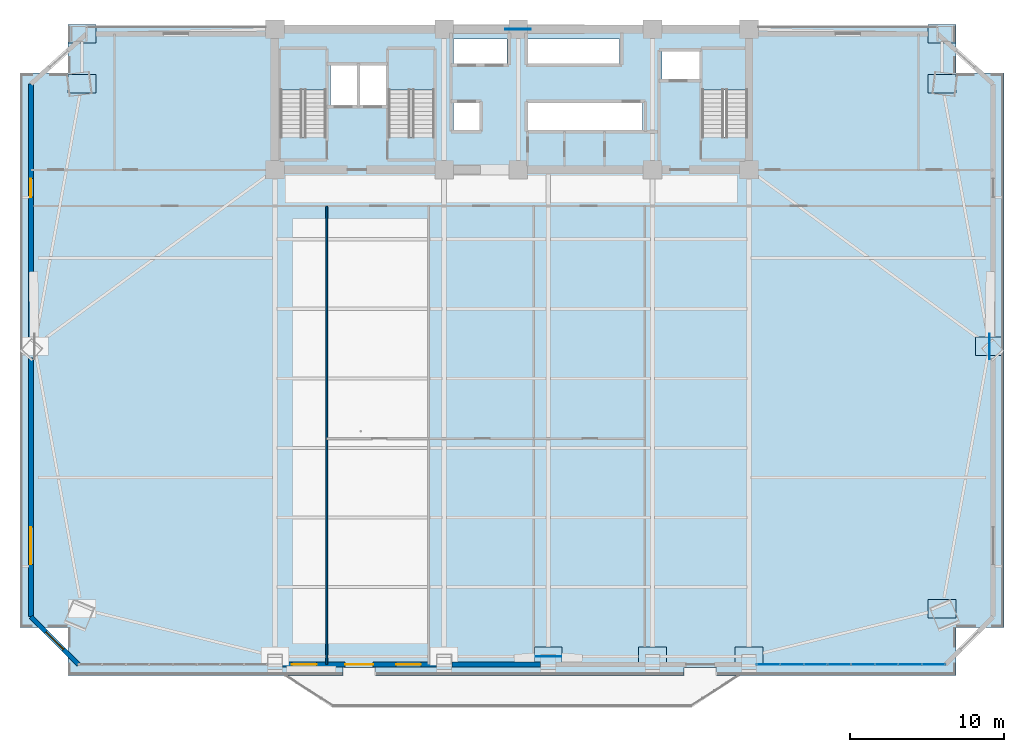
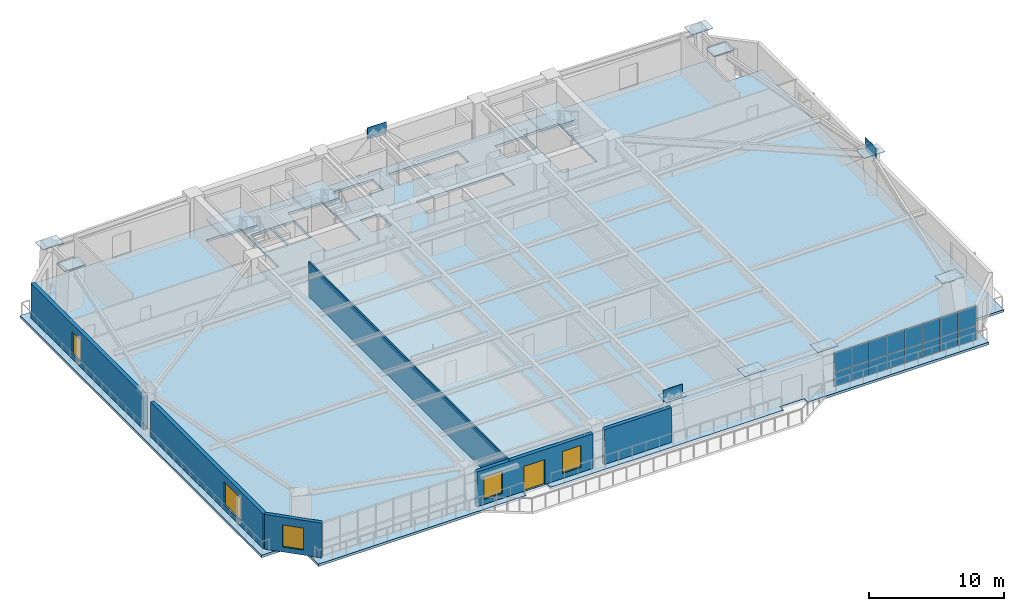
# One storey, part 7 of 16: 28 plates, 6 walls, 5 windows, 4 slabs, 1 door, 6 openings, 4 elements without a shape of their own.
"""IFC4 building model written with IfcOpenShell, lengths in metres."""

from ifc_helpers import new_model, si_unit, direction, frame, frame_2d, origin, origin_2d, place, context, subcontext, project, spatial, polyline, rectangle, outline, extrude, source, transform, mapped, material, layer, layer_set, type_object, element, fill, aggregate, save


model = new_model("IFC4")

# Units and contexts
model_context = context("Model", 3, precision=1e-05, world=origin(), true_north=direction((0.0, 1.0)))
body_context = subcontext(model_context, "Body", "Model", "MODEL_VIEW")
ifc_project = project(units=[si_unit("LENGTHUNIT", "METRE"), si_unit("AREAUNIT", "SQUARE_METRE"), si_unit("VOLUMEUNIT", "CUBIC_METRE"), si_unit("PLANEANGLEUNIT", "RADIAN"), si_unit("MASSUNIT", "GRAM", prefix="KILO")], contexts=[model_context])

# Site, building, storey
site_placement = place(None, origin())
site = spatial("IfcSite", under=ifc_project, at=site_placement, CompositionType="ELEMENT")
building_placement = place(site_placement, origin())
building = spatial("IfcBuilding", under=site, at=building_placement, Name="Giltprow Tower", CompositionType="ELEMENT")
storey_placement = place(building_placement, frame((0.0, 0.0, 83.5)))
storey = spatial("IfcBuildingStorey", under=building, at=storey_placement, Name="L20", CompositionType="ELEMENT", Elevation=83.5)

# Slab
ifc_material_1 = material(Name="Concrete C40", Category="concrete")
ifc_layer_1 = layer(ifc_material_1, 0.219970703125, Name="Concrete C40")
ifc_layer_set_1 = layer_set([ifc_layer_1], Name="Concrete C40")
slab_type_1 = type_object("IfcSlabType", Name="SLB-OFF-220", PredefinedType="FLOOR", material=ifc_layer_set_1)
slab_1_placement = place(storey_placement, frame((0.0, 0.0, -0.219970703125)))
element("IfcSlab", 1, at=slab_1_placement, inside=storey, type_object=slab_type_1, Name="L20 Structural Composite Floor Slab", PredefinedType="FLOOR", context=body_context, shape_type="SweptSolid", body=[
    extrude(outline(polyline([(6.43603515625, 4.708984375), (6.43603515625, 7.804931640625), (3.340087890625, 7.804931640625), (3.340087890625, 43.7041015625), (6.43603515625, 43.7041015625), (6.43603515625, 46.800048828125), (63.965087890625, 46.800048828125), (63.965087890625, 43.7041015625), (67.06103515625, 43.7041015625), (67.06103515625, 7.804931640625), (63.965087890625, 7.804931640625), (63.965087890625, 4.708984375), (48.449951171875, 4.708984375), (48.449951171875, 5.22900390625), (46.35009765625, 5.22900390625), (46.35009765625, 4.708984375), (26.35009765625, 4.708984375), (26.35009765625, 5.22900390625), (24.25, 5.22900390625), (24.25, 4.708984375), (6.43603515625, 4.708984375)]), holes=[polyline([(33.10009765625, 41.800048828125), (31.419921875, 41.800048828125), (31.419921875, 40.0), (33.10009765625, 40.0), (33.10009765625, 41.800048828125)]), polyline([(23.159912109375, 39.570068359375), (23.159912109375, 45.25), (20.199951171875, 45.25), (20.199951171875, 39.570068359375), (23.159912109375, 39.570068359375)]), polyline([(30.159912109375, 45.25), (27.199951171875, 45.25), (27.199951171875, 39.570068359375), (30.159912109375, 39.570068359375), (30.159912109375, 45.25)]), polyline([(25.169921875, 41.60009765625), (25.169921875, 44.199951171875), (23.449951171875, 44.199951171875), (23.449951171875, 41.60009765625), (25.169921875, 41.60009765625)]), polyline([(27.10009765625, 41.60009765625), (27.10009765625, 44.199951171875), (25.35009765625, 44.199951171875), (25.35009765625, 41.60009765625), (27.10009765625, 41.60009765625)]), polyline([(43.659912109375, 40.0), (43.659912109375, 41.800048828125), (36.239990234375, 41.800048828125), (36.239990234375, 40.0), (43.659912109375, 40.0)]), polyline([(50.4599609375, 39.570068359375), (50.4599609375, 45.25), (47.5, 45.25), (47.5, 39.570068359375), (50.4599609375, 39.570068359375)]), polyline([(47.3798828125, 45.10009765625), (44.919921875, 45.10009765625), (44.919921875, 43.300048828125), (47.3798828125, 43.300048828125), (47.3798828125, 45.10009765625)]), polyline([(34.8798828125, 44.300048828125), (34.8798828125, 45.919921875), (31.419921875, 45.919921875), (31.419921875, 44.300048828125), (34.8798828125, 44.300048828125)]), polyline([(42.169921875, 44.300048828125), (42.169921875, 45.919921875), (36.239990234375, 45.919921875), (36.239990234375, 44.300048828125), (42.169921875, 44.300048828125)])]), origin(), (0.0, 0.0, 1.0), 0.219970703125),
])

# Stair, slab
stair_type_1 = type_object("IfcStairType", Name="STR-ST-1", PredefinedType="HALF_TURN_STAIR", material=ifc_material_1)
stair_1_placement = place(storey_placement, origin())
stair_1 = element("IfcStair", 2, at=stair_1_placement, inside=storey, type_object=stair_type_1, Name="L20 Core Exit Stair ST-1", PredefinedType="HALF_TURN_STAIR")
ifc_layer_2 = layer(ifc_material_1, 0.179931640625, Name="Concrete C40")
ifc_layer_set_2 = layer_set([ifc_layer_2], Name="Concrete C40")
slab_type_2 = type_object("IfcSlabType", Name="SLD-ST-1", PredefinedType="LANDING", material=ifc_layer_set_2)
slab_2_placement = place(storey_placement, frame((0.0, 0.0, 1.77001953125)))
slab_2 = element("IfcSlab", 3, at=slab_2_placement, type_object=slab_type_2, Name="ST-1 landing 1", PredefinedType="LANDING", context=body_context, shape_type="SweptSolid", body=[
    extrude(outline(polyline([(23.159912109375, 42.6298828125), (23.159912109375, 45.25), (20.199951171875, 45.25), (20.199951171875, 42.6298828125), (23.159912109375, 42.6298828125)])), origin(), (0.0, 0.0, 1.0), 0.179931640625),
])
aggregate(stair_1, [slab_2])

stair_type_2 = type_object("IfcStairType", Name="STR-ST-2", PredefinedType="HALF_TURN_STAIR", material=ifc_material_1)
stair_2_placement = place(storey_placement, origin())
stair_2 = element("IfcStair", 4, at=stair_2_placement, inside=storey, type_object=stair_type_2, Name="L20 Core Exit Stair ST-2", PredefinedType="HALF_TURN_STAIR")
ifc_layer_3 = layer(ifc_material_1, 0.18798828125, Name="Concrete C40")
ifc_layer_set_3 = layer_set([ifc_layer_3], Name="Concrete C40")
slab_type_3 = type_object("IfcSlabType", Name="SLD-ST-2", PredefinedType="LANDING", material=ifc_layer_set_3)
slab_3_placement = place(storey_placement, frame((0.0, 0.0, 1.761962890625)))
slab_3 = element("IfcSlab", 5, at=slab_3_placement, type_object=slab_type_3, Name="ST-2 landing 1", PredefinedType="LANDING", context=body_context, shape_type="SweptSolid", body=[
    extrude(outline(polyline([(30.159912109375, 42.6298828125), (30.159912109375, 45.25), (27.199951171875, 45.25), (27.199951171875, 42.6298828125), (30.159912109375, 42.6298828125)])), origin(), (0.0, 0.0, 1.0), 0.18798828125),
])
aggregate(stair_2, [slab_3])

stair_type_3 = type_object("IfcStairType", Name="STR-ST-3", PredefinedType="HALF_TURN_STAIR", material=ifc_material_1)
stair_3_placement = place(storey_placement, origin())
stair_3 = element("IfcStair", 6, at=stair_3_placement, inside=storey, type_object=stair_type_3, Name="L20 Core Exit Stair ST-3", PredefinedType="HALF_TURN_STAIR")
ifc_layer_4 = layer(ifc_material_1, 0.196044921875, Name="Concrete C40")
ifc_layer_set_4 = layer_set([ifc_layer_4], Name="Concrete C40")
slab_type_4 = type_object("IfcSlabType", Name="SLD-ST-3", PredefinedType="LANDING", material=ifc_layer_set_4)
slab_4_placement = place(storey_placement, frame((0.0, 0.0, 1.75390625)))
slab_4 = element("IfcSlab", 7, at=slab_4_placement, type_object=slab_type_4, Name="ST-3 landing 1", PredefinedType="LANDING", context=body_context, shape_type="SweptSolid", body=[
    extrude(outline(polyline([(50.4599609375, 42.6298828125), (50.4599609375, 45.25), (47.5, 45.25), (47.5, 42.6298828125), (50.4599609375, 42.6298828125)])), origin(), (0.0, 0.0, 1.0), 0.196044921875),
])
aggregate(stair_3, [slab_4])

# Plates
ifc_material_2 = material(Name="Structural steel Q420GJC", Category="steel")
plate_type_1 = type_object("IfcPlateType", Name="PLT-NODE-CKN1", PredefinedType="USERDEFINED", material=ifc_material_2)
shared_shape_1 = source(origin(), body_context, "Body", "SweptSolid", [
    extrude(rectangle(XDim=1.800048828125, YDim=1.199951171875, at=origin_2d()), origin(), (0.0, 0.0, 1.0), 0.044921875),
])
for number, where, z_axis, x_axis, name in (
    (8, (63.055908203125, 9.006103515625, 3.637451171875), (0.0, 0.0, 1.0), (1.0, 0.0, 0.0), "CKN1 Column Taper Splice Node L20-MC_SE"),
    (9, (7.344970703125, 43.030029296875, 3.637451171875), (0.0, 0.0, 1.0), (1.0, 0.0, 0.0), "CKN1 Column Taper Splice Node L20-MC_NW"),
    (10, (63.055908203125, 43.030029296875, 3.637451171875), (0.0, 0.0, 1.0), (1.0, 0.0, 0.0), "CKN1 Column Taper Splice Node L20-MC_NE"),
    (11, (37.550048828125, 5.93603515625, 3.637451171875), (0.0, 0.0, 1.0), (1.0, 0.0, 0.0), "CKN1 Column Taper Splice Node L20-S_MID"),
    (12, (44.300048828125, 5.93603515625, 3.637451171875), (0.0, 0.0, 1.0), (1.0, 0.0, 0.0), "CKN1 Column Taper Splice Node L20-S3"),
    (13, (50.550048828125, 5.93603515625, 3.637451171875), (0.0, 0.0, 1.0), (1.0, 0.0, 0.0), "CKN1 Column Taper Splice Node L20-S4"),
    (14, (66.1259765625, 26.01806640625, 3.637451171875), (0.0, 0.0, 1.0), (1.0, 0.0, 0.0), "CKN1 Column Taper Splice Node L20-E_MID"),
    (15, (7.344970703125, 46.25, 3.637451171875), (0.0, 0.0, 1.0), (1.0, 0.0, 0.0), "CKN1 Column Taper Splice Node L20-N_W"),
    (16, (63.055908203125, 46.25, 3.637451171875), (0.0, 0.0, 1.0), (1.0, 0.0, 0.0), "CKN1 Column Taper Splice Node L20-N_E"),
):
    element("IfcPlate", number, at=place(storey_placement, frame(where, z_axis=z_axis, x_axis=x_axis)), inside=storey, type_object=plate_type_1, Name=name, ObjectType="SPLICE", PredefinedType="USERDEFINED", context=body_context, shape_type="MappedRepresentation", body=[
        mapped(shared_shape_1, transform((0.0, 0.0, 0.0), x_axis=(1.0, 0.0, 0.0), y_axis=(0.0, 1.0, 0.0), z_axis=(0.0, 0.0, 1.0), scale=1.0)),
    ])
plate_type_2 = type_object("IfcPlateType", Name="PLT-NODE-MBN2", PredefinedType="USERDEFINED", material=ifc_material_2)
shared_shape_2 = source(origin(), body_context, "Body", "SweptSolid", [
    extrude(rectangle(XDim=1.64990234375, YDim=0.044921875, at=origin_2d()), origin(), (0.0, 0.0, 1.0), 1.050048828125),
])
for number, where, z_axis, x_axis, name in (
    (17, (37.550048828125, 5.93603515625, 3.375), (0.0, 0.0, 1.0), (1.0, 0.0, 0.0), "Mega-Brace Node L20-S-LB"),
    (18, (35.60009765625, 46.550048828125, 3.23486328125), (0.0, 0.0, 1.0), (1.0, 0.0, 0.0), "Mega-Brace Node L20-N-LB"),
    (19, (66.1259765625, 26.01806640625, 3.375), (0.0, 0.0, 1.0), (0.0, 1.0, 0.0), "Mega-Brace Node L20-E-RB"),
):
    element("IfcPlate", number, at=place(storey_placement, frame(where, z_axis=z_axis, x_axis=x_axis)), inside=storey, type_object=plate_type_2, Name=name, ObjectType="GUSSET", PredefinedType="USERDEFINED", context=body_context, shape_type="MappedRepresentation", body=[
        mapped(shared_shape_2, transform((0.0, 0.0, 0.0), x_axis=(1.0, 0.0, 0.0), y_axis=(0.0, 1.0, 0.0), z_axis=(0.0, 0.0, 1.0), scale=1.0)),
    ])

# Curtain wall, plates
ifc_material_3 = material(Name="Anodized bronze", Category="metal")
ifc_layer_5 = layer(ifc_material_3, 0.179931640625, Name="Anodized bronze")
ifc_layer_set_5 = layer_set([ifc_layer_5], Name="Anodized bronze")
curtain_wall_type = type_object("IfcCurtainWallType", Name="CW-OFF-RECESSED", PredefinedType="NOTDEFINED", material=ifc_layer_set_5)
curtain_wall_placement = place(storey_placement, origin())
curtain_wall = element("IfcCurtainWall", 20, at=curtain_wall_placement, inside=storey, type_object=curtain_wall_type, Name="L20 South Recessed Curtain Wall 6", PredefinedType="NOTDEFINED")
ifc_material_4 = material(Name="Insulated glass", Category="glass")
plate_type_3 = type_object("IfcPlateType", Name="CW-PANEL-IGU-28", PredefinedType="CURTAIN_PANEL", material=ifc_material_4)
shared_shape_3 = source(origin(), body_context, "Body", "SweptSolid", [
    extrude(rectangle(XDim=1.4970703125, YDim=0.028076171875, at=origin_2d()), origin(), (0.0, 0.0, 1.0), 1.259033203125),
])
plate_1_placement = place(storey_placement, frame((51.81298828125, 5.408935546875, 0.0546875), z_axis=(0.0, 0.0, 1.0), x_axis=(1.0, 0.0, 0.0)))
plate_1 = element("IfcPlate", 21, at=plate_1_placement, type_object=plate_type_3, Name="L20 South Recessed Curtain Wall 6 Glazing Panel 1-1", PredefinedType="CURTAIN_PANEL", context=body_context, shape_type="MappedRepresentation", body=[
    mapped(shared_shape_3, transform((0.0, 0.0, 0.0), x_axis=(1.0, 0.0, 0.0), y_axis=(0.0, 1.0, 0.0), z_axis=(0.0, 0.0, 1.0), scale=1.0)),
])
plate_2_placement = place(storey_placement, frame((53.340087890625, 5.408935546875, 0.0546875), z_axis=(0.0, 0.0, 1.0), x_axis=(1.0, 0.0, 0.0)))
plate_2 = element("IfcPlate", 22, at=plate_2_placement, type_object=plate_type_3, Name="L20 South Recessed Curtain Wall 6 Glazing Panel 2-1", PredefinedType="CURTAIN_PANEL", context=body_context, shape_type="MappedRepresentation", body=[
    mapped(shared_shape_3, transform((0.0, 0.0, 0.0), x_axis=(1.0, 0.0, 0.0), y_axis=(0.0, 1.0, 0.0), z_axis=(0.0, 0.0, 1.0), scale=1.0)),
])
plate_3_placement = place(storey_placement, frame((54.866943359375, 5.408935546875, 0.0546875), z_axis=(0.0, 0.0, 1.0), x_axis=(1.0, 0.0, 0.0)))
plate_3 = element("IfcPlate", 23, at=plate_3_placement, type_object=plate_type_3, Name="L20 South Recessed Curtain Wall 6 Glazing Panel 3-1", PredefinedType="CURTAIN_PANEL", context=body_context, shape_type="MappedRepresentation", body=[
    mapped(shared_shape_3, transform((0.0, 0.0, 0.0), x_axis=(1.0, 0.0, 0.0), y_axis=(0.0, 1.0, 0.0), z_axis=(0.0, 0.0, 1.0), scale=1.0)),
])
plate_4_placement = place(storey_placement, frame((56.39404296875, 5.408935546875, 0.0546875), z_axis=(0.0, 0.0, 1.0), x_axis=(1.0, 0.0, 0.0)))
plate_4 = element("IfcPlate", 24, at=plate_4_placement, type_object=plate_type_3, Name="L20 South Recessed Curtain Wall 6 Glazing Panel 4-1", PredefinedType="CURTAIN_PANEL", context=body_context, shape_type="MappedRepresentation", body=[
    mapped(shared_shape_3, transform((0.0, 0.0, 0.0), x_axis=(1.0, 0.0, 0.0), y_axis=(0.0, 1.0, 0.0), z_axis=(0.0, 0.0, 1.0), scale=1.0)),
])
plate_5_placement = place(storey_placement, frame((57.9208984375, 5.408935546875, 0.0546875), z_axis=(0.0, 0.0, 1.0), x_axis=(1.0, 0.0, 0.0)))
plate_5 = element("IfcPlate", 25, at=plate_5_placement, type_object=plate_type_3, Name="L20 South Recessed Curtain Wall 6 Glazing Panel 5-1", PredefinedType="CURTAIN_PANEL", context=body_context, shape_type="MappedRepresentation", body=[
    mapped(shared_shape_3, transform((0.0, 0.0, 0.0), x_axis=(1.0, 0.0, 0.0), y_axis=(0.0, 1.0, 0.0), z_axis=(0.0, 0.0, 1.0), scale=1.0)),
])
plate_6_placement = place(storey_placement, frame((59.447998046875, 5.408935546875, 0.0546875), z_axis=(0.0, 0.0, 1.0), x_axis=(1.0, 0.0, 0.0)))
plate_6 = element("IfcPlate", 26, at=plate_6_placement, type_object=plate_type_3, Name="L20 South Recessed Curtain Wall 6 Glazing Panel 6-1", PredefinedType="CURTAIN_PANEL", context=body_context, shape_type="MappedRepresentation", body=[
    mapped(shared_shape_3, transform((0.0, 0.0, 0.0), x_axis=(1.0, 0.0, 0.0), y_axis=(0.0, 1.0, 0.0), z_axis=(0.0, 0.0, 1.0), scale=1.0)),
])
plate_7_placement = place(storey_placement, frame((60.97509765625, 5.408935546875, 0.0546875), z_axis=(0.0, 0.0, 1.0), x_axis=(1.0, 0.0, 0.0)))
plate_7 = element("IfcPlate", 27, at=plate_7_placement, type_object=plate_type_3, Name="L20 South Recessed Curtain Wall 6 Glazing Panel 7-1", PredefinedType="CURTAIN_PANEL", context=body_context, shape_type="MappedRepresentation", body=[
    mapped(shared_shape_3, transform((0.0, 0.0, 0.0), x_axis=(1.0, 0.0, 0.0), y_axis=(0.0, 1.0, 0.0), z_axis=(0.0, 0.0, 1.0), scale=1.0)),
])
plate_8_placement = place(storey_placement, frame((62.501953125, 5.408935546875, 0.0546875), z_axis=(0.0, 0.0, 1.0), x_axis=(1.0, 0.0, 0.0)))
plate_8 = element("IfcPlate", 28, at=plate_8_placement, type_object=plate_type_3, Name="L20 South Recessed Curtain Wall 6 Glazing Panel 8-1", PredefinedType="CURTAIN_PANEL", context=body_context, shape_type="MappedRepresentation", body=[
    mapped(shared_shape_3, transform((0.0, 0.0, 0.0), x_axis=(1.0, 0.0, 0.0), y_axis=(0.0, 1.0, 0.0), z_axis=(0.0, 0.0, 1.0), scale=1.0)),
])
shared_shape_4 = source(origin(), body_context, "Body", "SweptSolid", [
    extrude(rectangle(XDim=1.4970703125, YDim=0.028076171875, at=origin_2d()), origin(), (0.0, 0.0, 1.0), 1.764892578125),
])
plate_9_placement = place(storey_placement, frame((51.81298828125, 5.408935546875, 1.341796875), z_axis=(0.0, 0.0, 1.0), x_axis=(1.0, 0.0, 0.0)))
plate_9 = element("IfcPlate", 29, at=plate_9_placement, type_object=plate_type_3, Name="L20 South Recessed Curtain Wall 6 Glazing Panel 1-2", PredefinedType="CURTAIN_PANEL", context=body_context, shape_type="MappedRepresentation", body=[
    mapped(shared_shape_4, transform((0.0, 0.0, 0.0), x_axis=(1.0, 0.0, 0.0), y_axis=(0.0, 1.0, 0.0), z_axis=(0.0, 0.0, 1.0), scale=1.0)),
])
plate_10_placement = place(storey_placement, frame((53.340087890625, 5.408935546875, 1.341796875), z_axis=(0.0, 0.0, 1.0), x_axis=(1.0, 0.0, 0.0)))
plate_10 = element("IfcPlate", 30, at=plate_10_placement, type_object=plate_type_3, Name="L20 South Recessed Curtain Wall 6 Glazing Panel 2-2", PredefinedType="CURTAIN_PANEL", context=body_context, shape_type="MappedRepresentation", body=[
    mapped(shared_shape_4, transform((0.0, 0.0, 0.0), x_axis=(1.0, 0.0, 0.0), y_axis=(0.0, 1.0, 0.0), z_axis=(0.0, 0.0, 1.0), scale=1.0)),
])
plate_11_placement = place(storey_placement, frame((54.866943359375, 5.408935546875, 1.341796875), z_axis=(0.0, 0.0, 1.0), x_axis=(1.0, 0.0, 0.0)))
plate_11 = element("IfcPlate", 31, at=plate_11_placement, type_object=plate_type_3, Name="L20 South Recessed Curtain Wall 6 Glazing Panel 3-2", PredefinedType="CURTAIN_PANEL", context=body_context, shape_type="MappedRepresentation", body=[
    mapped(shared_shape_4, transform((0.0, 0.0, 0.0), x_axis=(1.0, 0.0, 0.0), y_axis=(0.0, 1.0, 0.0), z_axis=(0.0, 0.0, 1.0), scale=1.0)),
])
plate_12_placement = place(storey_placement, frame((56.39404296875, 5.408935546875, 1.341796875), z_axis=(0.0, 0.0, 1.0), x_axis=(1.0, 0.0, 0.0)))
plate_12 = element("IfcPlate", 32, at=plate_12_placement, type_object=plate_type_3, Name="L20 South Recessed Curtain Wall 6 Glazing Panel 4-2", PredefinedType="CURTAIN_PANEL", context=body_context, shape_type="MappedRepresentation", body=[
    mapped(shared_shape_4, transform((0.0, 0.0, 0.0), x_axis=(1.0, 0.0, 0.0), y_axis=(0.0, 1.0, 0.0), z_axis=(0.0, 0.0, 1.0), scale=1.0)),
])
plate_13_placement = place(storey_placement, frame((57.9208984375, 5.408935546875, 1.341796875), z_axis=(0.0, 0.0, 1.0), x_axis=(1.0, 0.0, 0.0)))
plate_13 = element("IfcPlate", 33, at=plate_13_placement, type_object=plate_type_3, Name="L20 South Recessed Curtain Wall 6 Glazing Panel 5-2", PredefinedType="CURTAIN_PANEL", context=body_context, shape_type="MappedRepresentation", body=[
    mapped(shared_shape_4, transform((0.0, 0.0, 0.0), x_axis=(1.0, 0.0, 0.0), y_axis=(0.0, 1.0, 0.0), z_axis=(0.0, 0.0, 1.0), scale=1.0)),
])
plate_14_placement = place(storey_placement, frame((59.447998046875, 5.408935546875, 1.341796875), z_axis=(0.0, 0.0, 1.0), x_axis=(1.0, 0.0, 0.0)))
plate_14 = element("IfcPlate", 34, at=plate_14_placement, type_object=plate_type_3, Name="L20 South Recessed Curtain Wall 6 Glazing Panel 6-2", PredefinedType="CURTAIN_PANEL", context=body_context, shape_type="MappedRepresentation", body=[
    mapped(shared_shape_4, transform((0.0, 0.0, 0.0), x_axis=(1.0, 0.0, 0.0), y_axis=(0.0, 1.0, 0.0), z_axis=(0.0, 0.0, 1.0), scale=1.0)),
])
plate_15_placement = place(storey_placement, frame((60.97509765625, 5.408935546875, 1.341796875), z_axis=(0.0, 0.0, 1.0), x_axis=(1.0, 0.0, 0.0)))
plate_15 = element("IfcPlate", 35, at=plate_15_placement, type_object=plate_type_3, Name="L20 South Recessed Curtain Wall 6 Glazing Panel 7-2", PredefinedType="CURTAIN_PANEL", context=body_context, shape_type="MappedRepresentation", body=[
    mapped(shared_shape_4, transform((0.0, 0.0, 0.0), x_axis=(1.0, 0.0, 0.0), y_axis=(0.0, 1.0, 0.0), z_axis=(0.0, 0.0, 1.0), scale=1.0)),
])
plate_16_placement = place(storey_placement, frame((62.501953125, 5.408935546875, 1.341796875), z_axis=(0.0, 0.0, 1.0), x_axis=(1.0, 0.0, 0.0)))
plate_16 = element("IfcPlate", 36, at=plate_16_placement, type_object=plate_type_3, Name="L20 South Recessed Curtain Wall 6 Glazing Panel 8-2", PredefinedType="CURTAIN_PANEL", context=body_context, shape_type="MappedRepresentation", body=[
    mapped(shared_shape_4, transform((0.0, 0.0, 0.0), x_axis=(1.0, 0.0, 0.0), y_axis=(0.0, 1.0, 0.0), z_axis=(0.0, 0.0, 1.0), scale=1.0)),
])
aggregate(curtain_wall, [plate_1, plate_9, plate_2, plate_10, plate_3, plate_11, plate_4, plate_12, plate_5, plate_13, plate_6, plate_14, plate_7, plate_15, plate_8, plate_16])

# Wall, opening, window
ifc_material_5 = material(Name="Precast concrete C40", Category="concrete")
ifc_layer_6 = layer(ifc_material_5, 0.300048828125, Name="Precast concrete C40")
ifc_layer_set_6 = layer_set([ifc_layer_6], Name="Precast concrete C40")
wall_type_1 = type_object("IfcWallType", Name="EW-NOTCH-CHAMFER-300", PredefinedType="SOLIDWALL", material=ifc_layer_set_6)
wall_1_placement = place(storey_placement, frame((4.0400390625, 8.5048828125, 0.0), z_axis=(0.0, 0.0, 1.0), x_axis=(0.707106781187, -0.707106781187, 0.0)))
wall_1 = element("IfcWall", 37, at=wall_1_placement, inside=storey, type_object=wall_type_1, Name="L20 Corner Notch Wall SW", PredefinedType="SOLIDWALL", context=body_context, shape_type="SweptSolid", body=[
    extrude(rectangle(XDim=4.37841796875, YDim=0.300048828125, at=frame_2d((2.189208984375, 0.0))), origin(), (0.0, 0.0, 1.0), 3.159912109375),
])
opening_1_placement = place(wall_1_placement, frame((1.388916015625, 0.0, 0.449951171875)))
opening_1 = element("IfcOpeningElement", 38, at=opening_1_placement, cuts=wall_1, Name="Opening WN17", PredefinedType="OPENING", context=body_context, shape_type="SweptSolid", body=[
    extrude(rectangle(XDim=1.60009765625, YDim=2.0, at=frame_2d((0.800048828125, 1.0))), frame((0.0, 0.159912109375, 0.0), z_axis=(0.0, -1.0, 0.0), x_axis=(1.0, 0.0, 0.0)), (0.0, 0.0, 1.0), 0.320068359375),
])
window_type_1 = type_object("IfcWindowType", Name="WN-COR-1600x2000", PartitioningType="SINGLE_PANEL", PredefinedType="WINDOW", material=ifc_material_4)
shared_shape_5 = source(origin(), body_context, "Body", "SweptSolid", [
    extrude(rectangle(XDim=1.60009765625, YDim=2.0, at=frame_2d((0.800048828125, 1.0))), frame((0.0, 0.030029296875, 0.0), z_axis=(0.0, -1.0, 0.0), x_axis=(1.0, 0.0, 0.0)), (0.0, 0.0, 1.0), 0.06005859375),
])
window_1_placement = place(opening_1_placement, origin())
window_1 = element("IfcWindow", 39, at=window_1_placement, inside=storey, type_object=window_type_1, Name="L20 Corner Notch Window SW", OverallHeight=2.0, OverallWidth=1.60009765625, PartitioningType="SINGLE_PANEL", PredefinedType="WINDOW", context=body_context, shape_type="MappedRepresentation", body=[
    mapped(shared_shape_5, transform((0.0, 0.0, 0.0), x_axis=(1.0, 0.0, 0.0), y_axis=(0.0, 1.0, 0.0), z_axis=(0.0, 0.0, 1.0), scale=1.0)),
])
fill(opening_1, window_1)

# Wall, openings, windows, door
ifc_layer_7 = layer(ifc_material_5, 0.320068359375, Name="Precast concrete C40")
ifc_layer_set_7 = layer_set([ifc_layer_7], Name="Precast concrete C40")
wall_type_2 = type_object("IfcWallType", Name="EW-TOW-STONE-320", PredefinedType="SOLIDWALL", material=ifc_layer_set_7)
wall_2_placement = place(storey_placement, frame((20.35009765625, 5.408935546875, 0.0), z_axis=(0.0, 0.0, 1.0), x_axis=(1.0, 0.0, 0.0)))
wall_2 = element("IfcWall", 40, at=wall_2_placement, inside=storey, type_object=wall_type_2, Name="L20 South Expressed Frame Wall 2", PredefinedType="SOLIDWALL", context=body_context, shape_type="SweptSolid", body=[
    extrude(rectangle(XDim=9.949951171875, YDim=0.320068359375, at=frame_2d((4.97509765625, 0.0))), origin(), (0.0, 0.0, 1.0), 3.159912109375),
])
opening_2_placement = place(wall_2_placement, frame((4.050048828125, 0.0, 0.0)))
opening_2 = element("IfcOpeningElement", 41, at=opening_2_placement, cuts=wall_2, Name="Opening ED25", PredefinedType="OPENING", context=body_context, shape_type="SweptSolid", body=[
    extrude(rectangle(XDim=1.800048828125, YDim=2.25, at=frame_2d((0.89990234375, 1.125))), frame((0.0, 0.169921875, 0.0), z_axis=(0.0, -1.0, 0.0), x_axis=(1.0, 0.0, 0.0)), (0.0, 0.0, 1.0), 0.340087890625),
])
opening_3_placement = place(wall_2_placement, frame((0.590087890625, 0.0, 0.449951171875)))
opening_3 = element("IfcOpeningElement", 42, at=opening_3_placement, cuts=wall_2, Name="Opening WN17", PredefinedType="OPENING", context=body_context, shape_type="SweptSolid", body=[
    extrude(rectangle(XDim=1.60009765625, YDim=2.0, at=frame_2d((0.800048828125, 1.0))), frame((0.0, 0.169921875, 0.0), z_axis=(0.0, -1.0, 0.0), x_axis=(1.0, 0.0, 0.0)), (0.0, 0.0, 1.0), 0.340087890625),
])
opening_4_placement = place(wall_2_placement, frame((7.35009765625, 0.0, 0.449951171875)))
opening_4 = element("IfcOpeningElement", 43, at=opening_4_placement, cuts=wall_2, Name="Opening WN17", PredefinedType="OPENING", context=body_context, shape_type="SweptSolid", body=[
    extrude(rectangle(XDim=1.60009765625, YDim=2.0, at=frame_2d((0.800048828125, 1.0))), frame((0.0, 0.169921875, 0.0), z_axis=(0.0, -1.0, 0.0), x_axis=(1.0, 0.0, 0.0)), (0.0, 0.0, 1.0), 0.340087890625),
])
window_2_placement = place(opening_3_placement, origin())
window_2 = element("IfcWindow", 44, at=window_2_placement, inside=storey, type_object=window_type_1, Name="L20 South Window 2A", OverallHeight=2.0, OverallWidth=1.60009765625, PartitioningType="SINGLE_PANEL", PredefinedType="WINDOW", context=body_context, shape_type="MappedRepresentation", body=[
    mapped(shared_shape_5, transform((0.0, 0.0, 0.0), x_axis=(1.0, 0.0, 0.0), y_axis=(0.0, 1.0, 0.0), z_axis=(0.0, 0.0, 1.0), scale=1.0)),
])
fill(opening_3, window_2)
window_3_placement = place(opening_4_placement, origin())
window_3 = element("IfcWindow", 45, at=window_3_placement, inside=storey, type_object=window_type_1, Name="L20 South Window 2B", OverallHeight=2.0, OverallWidth=1.60009765625, PartitioningType="SINGLE_PANEL", PredefinedType="WINDOW", context=body_context, shape_type="MappedRepresentation", body=[
    mapped(shared_shape_5, transform((0.0, 0.0, 0.0), x_axis=(1.0, 0.0, 0.0), y_axis=(0.0, 1.0, 0.0), z_axis=(0.0, 0.0, 1.0), scale=1.0)),
])
fill(opening_4, window_3)
ifc_material_6 = material(Name="Anodized bronze and glass", Category="glass")
door_type = type_object("IfcDoorType", Name="DR-BALC-SLIDE-1800", OperationType="SLIDING_TO_LEFT", PredefinedType="DOOR", material=ifc_material_6)
shared_shape_6 = source(origin(), body_context, "Body", "SweptSolid", [
    extrude(rectangle(XDim=1.800048828125, YDim=2.25, at=frame_2d((0.89990234375, 1.125))), frame((0.0, 0.02490234375, 0.0), z_axis=(0.0, -1.0, 0.0), x_axis=(1.0, 0.0, 0.0)), (0.0, 0.0, 1.0), 0.050048828125),
])
door_placement = place(opening_2_placement, origin())
door = element("IfcDoor", 46, at=door_placement, inside=storey, type_object=door_type, Name="L20 Waterfront Balcony Sliding Door 1", OperationType="SLIDING_TO_LEFT", OverallHeight=2.25, OverallWidth=1.800048828125, PredefinedType="DOOR", context=body_context, shape_type="MappedRepresentation", body=[
    mapped(shared_shape_6, transform((0.0, 0.0, 0.0), x_axis=(1.0, 0.0, 0.0), y_axis=(0.0, 1.0, 0.0), z_axis=(0.0, 0.0, 1.0), scale=1.0)),
])
fill(opening_2, door)

# Wall
wall_3_placement = place(storey_placement, frame((31.300048828125, 5.408935546875, 0.0), z_axis=(0.0, 0.0, 1.0), x_axis=(1.0, 0.0, 0.0)))
element("IfcWall", 47, at=wall_3_placement, inside=storey, type_object=wall_type_2, Name="L20 South Expressed Frame Wall 3", PredefinedType="SOLIDWALL", context=body_context, shape_type="SweptSolid", body=[
    extrude(rectangle(XDim=5.75, YDim=0.320068359375, at=frame_2d((2.875, 0.0))), origin(), (0.0, 0.0, 1.0), 3.159912109375),
])

# Wall, opening, window
wall_4_placement = place(storey_placement, frame((4.0400390625, 8.5048828125, 0.0), z_axis=(0.0, 0.0, 1.0), x_axis=(0.0, 1.0, 0.0)))
wall_4 = element("IfcWall", 48, at=wall_4_placement, inside=storey, type_object=wall_type_2, Name="L20 W Wing Masonry Wall 1", PredefinedType="SOLIDWALL", context=body_context, shape_type="SweptSolid", body=[
    extrude(rectangle(XDim=16.75, YDim=0.320068359375, at=frame_2d((8.375, 0.0))), origin(), (0.0, 0.0, 1.0), 3.159912109375),
])
opening_5_placement = place(wall_4_placement, frame((3.39501953125, 0.0, 0.449951171875)))
opening_5 = element("IfcOpeningElement", 49, at=opening_5_placement, cuts=wall_4, Name="Opening WN29", PredefinedType="OPENING", context=body_context, shape_type="SweptSolid", body=[
    extrude(rectangle(XDim=2.39990234375, YDim=2.10009765625, at=frame_2d((1.199951171875, 1.050048828125))), frame((0.0, 0.169921875, 0.0), z_axis=(0.0, -1.0, 0.0), x_axis=(1.0, 0.0, 0.0)), (0.0, 0.0, 1.0), 0.340087890625),
])
window_type_2 = type_object("IfcWindowType", Name="WN-OFF-2400x2100", PartitioningType="DOUBLE_PANEL_VERTICAL", PredefinedType="WINDOW", material=ifc_material_4)
shared_shape_7 = source(origin(), body_context, "Body", "SweptSolid", [
    extrude(rectangle(XDim=2.39990234375, YDim=2.10009765625, at=frame_2d((1.199951171875, 1.050048828125))), frame((0.0, 0.030029296875, 0.0), z_axis=(0.0, -1.0, 0.0), x_axis=(1.0, 0.0, 0.0)), (0.0, 0.0, 1.0), 0.06005859375),
])
window_4_placement = place(opening_5_placement, origin())
window_4 = element("IfcWindow", 50, at=window_4_placement, inside=storey, type_object=window_type_2, Name="L20 W Wing Window 1-1A", OverallHeight=2.10009765625, OverallWidth=2.39990234375, PartitioningType="SINGLE_PANEL", PredefinedType="WINDOW", context=body_context, shape_type="MappedRepresentation", body=[
    mapped(shared_shape_7, transform((0.0, 0.0, 0.0), x_axis=(1.0, 0.0, 0.0), y_axis=(0.0, 1.0, 0.0), z_axis=(0.0, 0.0, 1.0), scale=1.0)),
])
fill(opening_5, window_4)

wall_5_placement = place(storey_placement, frame((4.0400390625, 26.2548828125, 0.0), z_axis=(0.0, 0.0, 1.0), x_axis=(0.0, 1.0, 0.0)))
wall_5 = element("IfcWall", 51, at=wall_5_placement, inside=storey, type_object=wall_type_2, Name="L20 W Wing Masonry Wall 2", PredefinedType="SOLIDWALL", context=body_context, shape_type="SweptSolid", body=[
    extrude(rectangle(XDim=16.7490234375, YDim=0.320068359375, at=frame_2d((8.37451171875, 0.0))), origin(), (0.0, 0.0, 1.0), 3.159912109375),
])
opening_6_placement = place(wall_5_placement, frame((9.425048828125, 0.0, 0.449951171875)))
opening_6 = element("IfcOpeningElement", 52, at=opening_6_placement, cuts=wall_5, Name="Opening WN11", PredefinedType="OPENING", context=body_context, shape_type="SweptSolid", body=[
    extrude(rectangle(XDim=1.199951171875, YDim=2.0, at=frame_2d((0.60009765625, 1.0))), frame((0.0, 0.169921875, 0.0), z_axis=(0.0, -1.0, 0.0), x_axis=(1.0, 0.0, 0.0)), (0.0, 0.0, 1.0), 0.340087890625),
])
window_type_3 = type_object("IfcWindowType", Name="WN-LANCET-1200x2000", PartitioningType="SINGLE_PANEL", PredefinedType="WINDOW", material=ifc_material_4)
shared_shape_8 = source(origin(), body_context, "Body", "SweptSolid", [
    extrude(rectangle(XDim=1.199951171875, YDim=2.0, at=frame_2d((0.60009765625, 1.0))), frame((0.0, 0.030029296875, 0.0), z_axis=(0.0, -1.0, 0.0), x_axis=(1.0, 0.0, 0.0)), (0.0, 0.0, 1.0), 0.06005859375),
])
window_5_placement = place(opening_6_placement, origin())
window_5 = element("IfcWindow", 53, at=window_5_placement, inside=storey, type_object=window_type_3, Name="L20 W Wing Window 2-1", OverallHeight=2.0, OverallWidth=1.199951171875, PartitioningType="SINGLE_PANEL", PredefinedType="WINDOW", context=body_context, shape_type="MappedRepresentation", body=[
    mapped(shared_shape_8, transform((0.0, 0.0, 0.0), x_axis=(1.0, 0.0, 0.0), y_axis=(0.0, 1.0, 0.0), z_axis=(0.0, 0.0, 1.0), scale=1.0)),
])
fill(opening_6, window_5)

# Wall
ifc_material_7 = material(Name="Gypsum stud partition", Category="gypsum")
ifc_layer_8 = layer(ifc_material_7, 0.1201171875, Name="Gypsum stud partition")
ifc_layer_set_8 = layer_set([ifc_layer_8], Name="Gypsum stud partition")
wall_type_3 = type_object("IfcWallType", Name="IW-ROOM-120", PredefinedType="PARTITIONING", material=ifc_layer_set_8)
wall_6_placement = place(storey_placement, frame((23.199951171875, 5.408935546875, 0.0), z_axis=(0.0, 0.0, 1.0), x_axis=(0.0, 1.0, 0.0)))
element("IfcWall", 54, at=wall_6_placement, inside=storey, type_object=wall_type_3, Name="L20 Office Partition 1", PredefinedType="PARTITIONING", context=body_context, shape_type="SweptSolid", body=[
    extrude(rectangle(XDim=29.691162109375, YDim=0.1201171875, at=frame_2d((14.845703125, 0.0))), origin(), (0.0, 0.0, 1.0), 3.1650390625),
])

save(model, "model.ifc")
